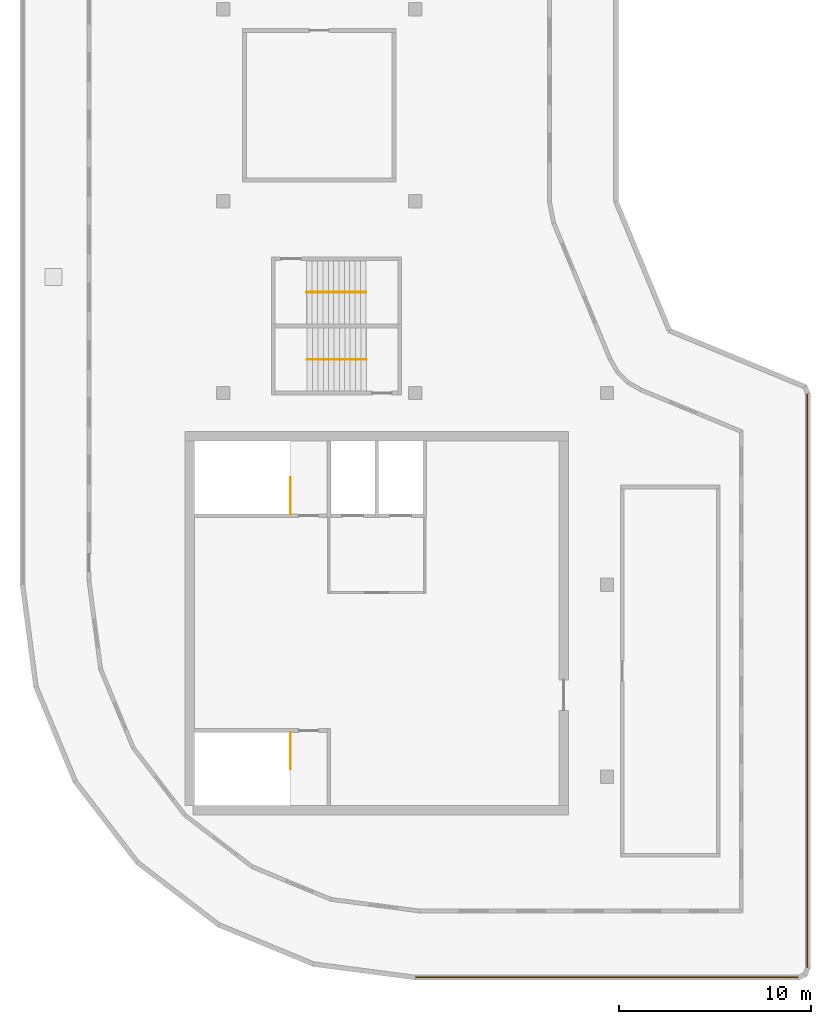
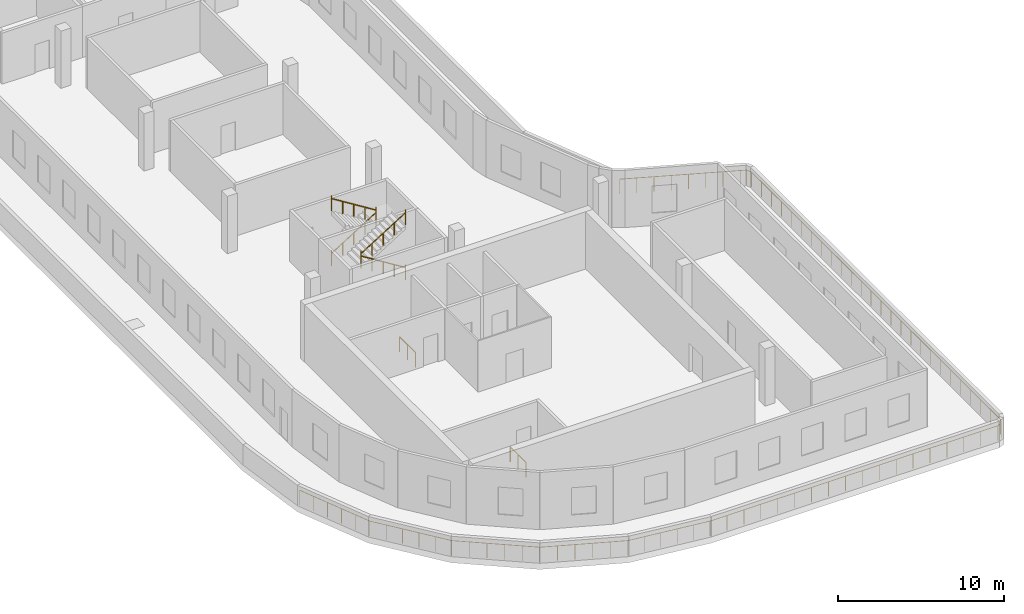
# One storey, part 5 of 6: 7 railings.
"""IFC4 building model written with IfcOpenShell, lengths in metres."""

from ifc_helpers import new_model, si_unit, direction, frame, origin, origin_2d, place, context, subcontext, project, spatial, circle, extrude, material, type_object, element, save


model = new_model("IFC4")

# Units and contexts
model_context = context("Model", 3, precision=1e-05, world=origin(), true_north=direction((0.0, 1.0)))
body_context = subcontext(model_context, "Body", "Model", "MODEL_VIEW")
ifc_project = project(units=[si_unit("LENGTHUNIT", "METRE"), si_unit("AREAUNIT", "SQUARE_METRE"), si_unit("VOLUMEUNIT", "CUBIC_METRE"), si_unit("PLANEANGLEUNIT", "RADIAN"), si_unit("MASSUNIT", "GRAM", prefix="KILO")], contexts=[model_context])

# Site, building, storey
site_placement = place(None, origin())
site = spatial("IfcSite", under=ifc_project, at=site_placement, CompositionType="ELEMENT")
building_placement = place(site_placement, origin())
building = spatial("IfcBuilding", under=site, at=building_placement, Name="Qaws Garden Tower", CompositionType="ELEMENT")
storey_placement = place(building_placement, frame((0.0, 0.0, 365.39990234375)))
storey = spatial("IfcBuildingStorey", under=building, at=storey_placement, Name="C1", CompositionType="ELEMENT", Elevation=365.39990234375)

# Railings
ifc_material_1 = material(Name="Steel S355", Category="steel")
railing_type_1 = type_object("IfcRailingType", Name="Guard steel balustrade 1100", PredefinedType="GUARDRAIL", material=ifc_material_1)
railing_1_placement = place(storey_placement, frame((33.214599609375, 33.2958984375, 0.0)))
element("IfcRailing", 1, at=railing_1_placement, inside=storey, type_object=railing_type_1, Name="Terrace guard", PredefinedType="GUARDRAIL", context=body_context, shape_type="SweptSolid", body=[
    extrude(circle(Radius=0.02392578125, at=origin_2d()), frame((0.0, 0.0, 1.076171875), z_axis=(0.921556042654, -0.388245360883, 0.0), x_axis=(0.388245360883, 0.921556042654, 0.0)), (0.0, 0.0, 1.0), 7.30078125),
    extrude(circle(Radius=0.02392578125, at=origin_2d()), frame((6.72802734375, -2.83447265625, 1.076171875), z_axis=(0.924001852504, -0.382387992187, 0.0), x_axis=(0.382387992187, 0.924001852504, 0.0)), (0.0, 0.0, 1.0), 0.397216796875),
    extrude(circle(Radius=0.02392578125, at=origin_2d()), frame((7.094970703125, -2.986328125, 1.076171875), z_axis=(0.382253928177, -0.924057322028, 0.0), x_axis=(0.924057322028, 0.382253928177, 0.0)), (0.0, 0.0, 1.0), 0.3671875),
    extrude(circle(Radius=0.02392578125, at=origin_2d()), frame((7.2353515625, -3.32568359375, 1.076171875), z_axis=(0.0, -1.0, 0.0), x_axis=(1.0, 0.0, 0.0)), (0.0, 0.0, 1.0), 29.9404296875),
    extrude(circle(Radius=0.02392578125, at=origin_2d()), frame((7.2353515625, -33.26611328125, 1.076171875), z_axis=(-0.382253928177, -0.924057322028, 0.0), x_axis=(0.924057322028, -0.382253928177, 0.0)), (0.0, 0.0, 1.0), 0.3671875),
    extrude(circle(Radius=0.02392578125, at=origin_2d()), frame((7.094970703125, -33.60546875, 1.076171875), z_axis=(-0.924057322028, -0.382253928177, 0.0), x_axis=(0.382253928177, -0.924057322028, 0.0)), (0.0, 0.0, 1.0), 0.3671875),
    extrude(circle(Radius=0.02392578125, at=origin_2d()), frame((6.755615234375, -33.745849609375, 1.076171875), z_axis=(-1.0, 0.0, 0.0), x_axis=(0.0, -1.0, 0.0)), (0.0, 0.0, 1.0), 19.96044921875),
    extrude(circle(Radius=0.02392578125, at=origin_2d()), frame((-13.204833984375, -33.745849609375, 1.076171875), z_axis=(-0.991446213836, 0.13051591884, 0.0), x_axis=(-0.13051591884, -0.991446213836, 0.0)), (0.0, 0.0, 1.0), 5.347900390625),
    extrude(circle(Radius=0.02392578125, at=origin_2d()), frame((-18.507080078125, -33.0478515625, 1.076171875), z_axis=(-0.923871903176, 0.38270185069, 0.0), x_axis=(-0.38270185069, -0.923871903176, 0.0)), (0.0, 0.0, 1.0), 5.33837890625),
    extrude(circle(Radius=0.02392578125, at=origin_2d()), frame((-23.43896484375, -31.0048828125, 1.076171875), z_axis=(-0.793371480341, 0.608737787706, 0.0), x_axis=(-0.608737787706, -0.793371480341, 0.0)), (0.0, 0.0, 1.0), 5.338134765625),
    extrude(circle(Radius=0.02392578125, at=origin_2d()), frame((-27.674072265625, -27.75537109375, 1.076171875), z_axis=(-0.608737787706, 0.793371480341, 0.0), x_axis=(-0.793371480341, -0.608737787706, 0.0)), (0.0, 0.0, 1.0), 5.338134765625),
    extrude(circle(Radius=0.02392578125, at=origin_2d()), frame((-30.923583984375, -23.520263671875, 1.076171875), z_axis=(-0.38270185069, 0.923871903176, 0.0), x_axis=(-0.923871903176, -0.38270185069, 0.0)), (0.0, 0.0, 1.0), 5.33837890625),
    extrude(circle(Radius=0.02099609375, at=origin_2d()), origin(), (0.0, 0.0, 1.0), 1.052001953125),
    extrude(circle(Radius=0.02099609375, at=origin_2d()), frame((0.961181640625, -0.405029296875, 0.0)), (0.0, 0.0, 1.0), 1.052001953125),
    extrude(circle(Radius=0.02099609375, at=origin_2d()), frame((1.92236328125, -0.809814453125, 0.0)), (0.0, 0.0, 1.0), 1.052001953125),
    extrude(circle(Radius=0.02099609375, at=origin_2d()), frame((2.883544921875, -1.21484375, 0.0)), (0.0, 0.0, 1.0), 1.052001953125),
    extrude(circle(Radius=0.02099609375, at=origin_2d()), frame((3.844482421875, -1.61962890625, 0.0)), (0.0, 0.0, 1.0), 1.052001953125),
    extrude(circle(Radius=0.02099609375, at=origin_2d()), frame((4.8056640625, -2.024658203125, 0.0)), (0.0, 0.0, 1.0), 1.052001953125),
    extrude(circle(Radius=0.02099609375, at=origin_2d()), frame((5.766845703125, -2.429443359375, 0.0)), (0.0, 0.0, 1.0), 1.052001953125),
    extrude(circle(Radius=0.02099609375, at=origin_2d()), frame((6.72802734375, -2.83447265625, 0.0)), (0.0, 0.0, 1.0), 1.052001953125),
    extrude(circle(Radius=0.02099609375, at=origin_2d()), frame((7.094970703125, -2.986328125, 0.0)), (0.0, 0.0, 1.0), 1.052001953125),
    extrude(circle(Radius=0.02099609375, at=origin_2d()), frame((7.2353515625, -3.32568359375, 0.0)), (0.0, 0.0, 1.0), 1.052001953125),
    extrude(circle(Radius=0.02099609375, at=origin_2d()), frame((7.2353515625, -4.523193359375, 0.0)), (0.0, 0.0, 1.0), 1.052001953125),
    extrude(circle(Radius=0.02099609375, at=origin_2d()), frame((7.2353515625, -5.720947265625, 0.0)), (0.0, 0.0, 1.0), 1.052001953125),
    extrude(circle(Radius=0.02099609375, at=origin_2d()), frame((7.2353515625, -6.91845703125, 0.0)), (0.0, 0.0, 1.0), 1.052001953125),
    extrude(circle(Radius=0.02099609375, at=origin_2d()), frame((7.2353515625, -8.1162109375, 0.0)), (0.0, 0.0, 1.0), 1.052001953125),
    extrude(circle(Radius=0.02099609375, at=origin_2d()), frame((7.2353515625, -9.313720703125, 0.0)), (0.0, 0.0, 1.0), 1.052001953125),
    extrude(circle(Radius=0.02099609375, at=origin_2d()), frame((7.2353515625, -10.511474609375, 0.0)), (0.0, 0.0, 1.0), 1.052001953125),
    extrude(circle(Radius=0.02099609375, at=origin_2d()), frame((7.2353515625, -11.708984375, 0.0)), (0.0, 0.0, 1.0), 1.052001953125),
    extrude(circle(Radius=0.02099609375, at=origin_2d()), frame((7.2353515625, -12.90673828125, 0.0)), (0.0, 0.0, 1.0), 1.052001953125),
    extrude(circle(Radius=0.02099609375, at=origin_2d()), frame((7.2353515625, -14.104248046875, 0.0)), (0.0, 0.0, 1.0), 1.052001953125),
    extrude(circle(Radius=0.02099609375, at=origin_2d()), frame((7.2353515625, -15.3017578125, 0.0)), (0.0, 0.0, 1.0), 1.052001953125),
    extrude(circle(Radius=0.02099609375, at=origin_2d()), frame((7.2353515625, -16.49951171875, 0.0)), (0.0, 0.0, 1.0), 1.052001953125),
    extrude(circle(Radius=0.02099609375, at=origin_2d()), frame((7.2353515625, -17.697021484375, 0.0)), (0.0, 0.0, 1.0), 1.052001953125),
    extrude(circle(Radius=0.02099609375, at=origin_2d()), frame((7.2353515625, -18.894775390625, 0.0)), (0.0, 0.0, 1.0), 1.052001953125),
    extrude(circle(Radius=0.02099609375, at=origin_2d()), frame((7.2353515625, -20.09228515625, 0.0)), (0.0, 0.0, 1.0), 1.052001953125),
    extrude(circle(Radius=0.02099609375, at=origin_2d()), frame((7.2353515625, -21.2900390625, 0.0)), (0.0, 0.0, 1.0), 1.052001953125),
    extrude(circle(Radius=0.02099609375, at=origin_2d()), frame((7.2353515625, -22.487548828125, 0.0)), (0.0, 0.0, 1.0), 1.052001953125),
    extrude(circle(Radius=0.02099609375, at=origin_2d()), frame((7.2353515625, -23.68505859375, 0.0)), (0.0, 0.0, 1.0), 1.052001953125),
    extrude(circle(Radius=0.02099609375, at=origin_2d()), frame((7.2353515625, -24.8828125, 0.0)), (0.0, 0.0, 1.0), 1.052001953125),
    extrude(circle(Radius=0.02099609375, at=origin_2d()), frame((7.2353515625, -26.080322265625, 0.0)), (0.0, 0.0, 1.0), 1.052001953125),
    extrude(circle(Radius=0.02099609375, at=origin_2d()), frame((7.2353515625, -27.278076171875, 0.0)), (0.0, 0.0, 1.0), 1.052001953125),
    extrude(circle(Radius=0.02099609375, at=origin_2d()), frame((7.2353515625, -28.4755859375, 0.0)), (0.0, 0.0, 1.0), 1.052001953125),
    extrude(circle(Radius=0.02099609375, at=origin_2d()), frame((7.2353515625, -29.67333984375, 0.0)), (0.0, 0.0, 1.0), 1.052001953125),
    extrude(circle(Radius=0.02099609375, at=origin_2d()), frame((7.2353515625, -30.870849609375, 0.0)), (0.0, 0.0, 1.0), 1.052001953125),
    extrude(circle(Radius=0.02099609375, at=origin_2d()), frame((7.2353515625, -32.068603515625, 0.0)), (0.0, 0.0, 1.0), 1.052001953125),
    extrude(circle(Radius=0.02099609375, at=origin_2d()), frame((7.2353515625, -33.26611328125, 0.0)), (0.0, 0.0, 1.0), 1.052001953125),
    extrude(circle(Radius=0.02099609375, at=origin_2d()), frame((7.094970703125, -33.60546875, 0.0)), (0.0, 0.0, 1.0), 1.052001953125),
    extrude(circle(Radius=0.02099609375, at=origin_2d()), frame((6.755615234375, -33.745849609375, 0.0)), (0.0, 0.0, 1.0), 1.052001953125),
    extrude(circle(Radius=0.02099609375, at=origin_2d()), frame((5.58154296875, -33.745849609375, 0.0)), (0.0, 0.0, 1.0), 1.052001953125),
    extrude(circle(Radius=0.02099609375, at=origin_2d()), frame((4.4072265625, -33.745849609375, 0.0)), (0.0, 0.0, 1.0), 1.052001953125),
    extrude(circle(Radius=0.02099609375, at=origin_2d()), frame((3.233154296875, -33.745849609375, 0.0)), (0.0, 0.0, 1.0), 1.052001953125),
    extrude(circle(Radius=0.02099609375, at=origin_2d()), frame((2.05908203125, -33.745849609375, 0.0)), (0.0, 0.0, 1.0), 1.052001953125),
    extrude(circle(Radius=0.02099609375, at=origin_2d()), frame((0.885009765625, -33.745849609375, 0.0)), (0.0, 0.0, 1.0), 1.052001953125),
    extrude(circle(Radius=0.02099609375, at=origin_2d()), frame((-0.289306640625, -33.745849609375, 0.0)), (0.0, 0.0, 1.0), 1.052001953125),
    extrude(circle(Radius=0.02099609375, at=origin_2d()), frame((-1.46337890625, -33.745849609375, 0.0)), (0.0, 0.0, 1.0), 1.052001953125),
    extrude(circle(Radius=0.02099609375, at=origin_2d()), frame((-2.637451171875, -33.745849609375, 0.0)), (0.0, 0.0, 1.0), 1.052001953125),
    extrude(circle(Radius=0.02099609375, at=origin_2d()), frame((-3.811767578125, -33.745849609375, 0.0)), (0.0, 0.0, 1.0), 1.052001953125),
    extrude(circle(Radius=0.02099609375, at=origin_2d()), frame((-4.98583984375, -33.745849609375, 0.0)), (0.0, 0.0, 1.0), 1.052001953125),
    extrude(circle(Radius=0.02099609375, at=origin_2d()), frame((-6.159912109375, -33.745849609375, 0.0)), (0.0, 0.0, 1.0), 1.052001953125),
    extrude(circle(Radius=0.02099609375, at=origin_2d()), frame((-7.334228515625, -33.745849609375, 0.0)), (0.0, 0.0, 1.0), 1.052001953125),
    extrude(circle(Radius=0.02099609375, at=origin_2d()), frame((-8.50830078125, -33.745849609375, 0.0)), (0.0, 0.0, 1.0), 1.052001953125),
    extrude(circle(Radius=0.02099609375, at=origin_2d()), frame((-9.682373046875, -33.745849609375, 0.0)), (0.0, 0.0, 1.0), 1.052001953125),
    extrude(circle(Radius=0.02099609375, at=origin_2d()), frame((-10.8564453125, -33.745849609375, 0.0)), (0.0, 0.0, 1.0), 1.052001953125),
    extrude(circle(Radius=0.02099609375, at=origin_2d()), frame((-12.03076171875, -33.745849609375, 0.0)), (0.0, 0.0, 1.0), 1.052001953125),
    extrude(circle(Radius=0.02099609375, at=origin_2d()), frame((-13.204833984375, -33.745849609375, 0.0)), (0.0, 0.0, 1.0), 1.052001953125),
    extrude(circle(Radius=0.02099609375, at=origin_2d()), frame((-14.265380859375, -33.606201171875, 0.0)), (0.0, 0.0, 1.0), 1.052001953125),
    extrude(circle(Radius=0.02099609375, at=origin_2d()), frame((-15.32568359375, -33.466552734375, 0.0)), (0.0, 0.0, 1.0), 1.052001953125),
    extrude(circle(Radius=0.02099609375, at=origin_2d()), frame((-16.38623046875, -33.3271484375, 0.0)), (0.0, 0.0, 1.0), 1.052001953125),
    extrude(circle(Radius=0.02099609375, at=origin_2d()), frame((-17.446533203125, -33.1875, 0.0)), (0.0, 0.0, 1.0), 1.052001953125),
    extrude(circle(Radius=0.02099609375, at=origin_2d()), frame((-18.507080078125, -33.0478515625, 0.0)), (0.0, 0.0, 1.0), 1.052001953125),
    extrude(circle(Radius=0.02099609375, at=origin_2d()), frame((-19.493408203125, -32.63916015625, 0.0)), (0.0, 0.0, 1.0), 1.052001953125),
    extrude(circle(Radius=0.02099609375, at=origin_2d()), frame((-20.479736328125, -32.230712890625, 0.0)), (0.0, 0.0, 1.0), 1.052001953125),
    extrude(circle(Radius=0.02099609375, at=origin_2d()), frame((-21.46630859375, -31.822021484375, 0.0)), (0.0, 0.0, 1.0), 1.052001953125),
    extrude(circle(Radius=0.02099609375, at=origin_2d()), frame((-22.45263671875, -31.41357421875, 0.0)), (0.0, 0.0, 1.0), 1.052001953125),
    extrude(circle(Radius=0.02099609375, at=origin_2d()), frame((-23.43896484375, -31.0048828125, 0.0)), (0.0, 0.0, 1.0), 1.052001953125),
    extrude(circle(Radius=0.02099609375, at=origin_2d()), frame((-24.285888671875, -30.35498046875, 0.0)), (0.0, 0.0, 1.0), 1.052001953125),
    extrude(circle(Radius=0.02099609375, at=origin_2d()), frame((-25.133056640625, -29.705078125, 0.0)), (0.0, 0.0, 1.0), 1.052001953125),
    extrude(circle(Radius=0.02099609375, at=origin_2d()), frame((-25.97998046875, -29.05517578125, 0.0)), (0.0, 0.0, 1.0), 1.052001953125),
    extrude(circle(Radius=0.02099609375, at=origin_2d()), frame((-26.8271484375, -28.4052734375, 0.0)), (0.0, 0.0, 1.0), 1.052001953125),
    extrude(circle(Radius=0.02099609375, at=origin_2d()), frame((-27.674072265625, -27.75537109375, 0.0)), (0.0, 0.0, 1.0), 1.052001953125),
    extrude(circle(Radius=0.02099609375, at=origin_2d()), frame((-28.323974609375, -26.908447265625, 0.0)), (0.0, 0.0, 1.0), 1.052001953125),
    extrude(circle(Radius=0.02099609375, at=origin_2d()), frame((-28.973876953125, -26.061279296875, 0.0)), (0.0, 0.0, 1.0), 1.052001953125),
    extrude(circle(Radius=0.02099609375, at=origin_2d()), frame((-29.623779296875, -25.21435546875, 0.0)), (0.0, 0.0, 1.0), 1.052001953125),
    extrude(circle(Radius=0.02099609375, at=origin_2d()), frame((-30.273681640625, -24.3671875, 0.0)), (0.0, 0.0, 1.0), 1.052001953125),
    extrude(circle(Radius=0.02099609375, at=origin_2d()), frame((-30.923583984375, -23.520263671875, 0.0)), (0.0, 0.0, 1.0), 1.052001953125),
    extrude(circle(Radius=0.02099609375, at=origin_2d()), frame((-31.332275390625, -22.533935546875, 0.0)), (0.0, 0.0, 1.0), 1.052001953125),
    extrude(circle(Radius=0.02099609375, at=origin_2d()), frame((-31.74072265625, -21.547607421875, 0.0)), (0.0, 0.0, 1.0), 1.052001953125),
    extrude(circle(Radius=0.02099609375, at=origin_2d()), frame((-32.1494140625, -20.56103515625, 0.0)), (0.0, 0.0, 1.0), 1.052001953125),
    extrude(circle(Radius=0.02099609375, at=origin_2d()), frame((-32.557861328125, -19.57470703125, 0.0)), (0.0, 0.0, 1.0), 1.052001953125),
    extrude(circle(Radius=0.02099609375, at=origin_2d()), frame((-32.966552734375, -18.58837890625, 0.0)), (0.0, 0.0, 1.0), 1.052001953125),
])
ifc_material_2 = material(Name="Steel S355", Category="steel")
railing_type_2 = type_object("IfcRailingType", Name="Stair guard 1100", PredefinedType="GUARDRAIL", material=ifc_material_2)
for number, where, name in (
    (2, (13.5, 10.39990234375, 0.0), "Stair 1 guard"),
    (3, (13.5, 23.699951171875, 0.0), "Stair 4 guard"),
):
    element("IfcRailing", number, at=place(storey_placement, frame(where)), inside=storey, type_object=railing_type_2, Name=name, PredefinedType="GUARDRAIL", context=body_context, shape_type="SweptSolid", body=[
        extrude(circle(Radius=0.02392578125, at=origin_2d()), frame((0.0, 0.0, 1.076171875), z_axis=(0.0, 1.0, 0.0), x_axis=(-1.0, 0.0, 0.0)), (0.0, 0.0, 1.0), 1.900146484375),
        extrude(circle(Radius=0.02099609375, at=origin_2d()), origin(), (0.0, 0.0, 1.0), 1.052001953125),
        extrude(circle(Radius=0.02099609375, at=origin_2d()), frame((0.0, 0.9501953125, 0.0)), (0.0, 0.0, 1.0), 1.052001953125),
        extrude(circle(Radius=0.02099609375, at=origin_2d()), frame((0.0, 1.900146484375, 0.0)), (0.0, 0.0, 1.0), 1.052001953125),
    ])
ifc_material_3 = material(Name="Steel S355", Category="steel")
railing_type_3 = type_object("IfcRailingType", Name="Stair handrail 900", PredefinedType="HANDRAIL", material=ifc_material_3)
railing_2_placement = place(storey_placement, frame((17.449951171875, 31.75, 0.175048828125)))
element("IfcRailing", 4, at=railing_2_placement, inside=storey, type_object=railing_type_3, Name="Stair 1 handrail", PredefinedType="HANDRAIL", context=body_context, shape_type="SweptSolid", body=[
    extrude(circle(Radius=0.02392578125, at=origin_2d()), frame((0.0, 0.0, 0.8759765625), z_axis=(-0.847979421464, 0.0, 0.530029150871), x_axis=(0.0, -1.0, 0.0)), (0.0, 0.0, 1.0), 3.632080078125),
    extrude(circle(Radius=0.02099609375, at=origin_2d()), origin(), (0.0, 0.0, 1.0), 1.074951171875),
    extrude(circle(Radius=0.02099609375, at=origin_2d()), frame((-0.77001953125, 0.0, 0.481201171875)), (0.0, 0.0, 1.0), 0.851806640625),
    extrude(circle(Radius=0.02099609375, at=origin_2d()), frame((-1.5400390625, 0.0, 0.96240234375)), (0.0, 0.0, 1.0), 0.851806640625),
    extrude(circle(Radius=0.02099609375, at=origin_2d()), frame((-2.309814453125, 0.0, 1.44384765625)), (0.0, 0.0, 1.0), 0.851806640625),
    extrude(circle(Radius=0.02099609375, at=origin_2d()), frame((-3.079833984375, 0.0, 1.925048828125)), (0.0, 0.0, 1.0), 1.074951171875),
])
for number, where, name in (
    (5, (14.3701171875, 31.75, 2.275146484375), "Stair 1 handrail"),
    (6, (14.35009765625, 35.25, 0.175048828125), "Stair 2 handrail"),
):
    element("IfcRailing", number, at=place(storey_placement, frame(where)), inside=storey, type_object=railing_type_3, Name=name, PredefinedType="HANDRAIL", context=body_context, shape_type="SweptSolid", body=[
        extrude(circle(Radius=0.02392578125, at=origin_2d()), frame((0.0, 0.0, 0.8759765625), z_axis=(0.847979421464, 0.0, 0.530029150871), x_axis=(0.0, 1.0, 0.0)), (0.0, 0.0, 1.0), 3.632080078125),
        extrude(circle(Radius=0.02099609375, at=origin_2d()), origin(), (0.0, 0.0, 1.0), 1.074951171875),
        extrude(circle(Radius=0.02099609375, at=origin_2d()), frame((0.77001953125, 0.0, 0.481201171875)), (0.0, 0.0, 1.0), 0.851806640625),
        extrude(circle(Radius=0.02099609375, at=origin_2d()), frame((1.5400390625, 0.0, 0.96240234375)), (0.0, 0.0, 1.0), 0.851806640625),
        extrude(circle(Radius=0.02099609375, at=origin_2d()), frame((2.309814453125, 0.0, 1.44384765625)), (0.0, 0.0, 1.0), 0.851806640625),
        extrude(circle(Radius=0.02099609375, at=origin_2d()), frame((3.079833984375, 0.0, 1.925048828125)), (0.0, 0.0, 1.0), 1.074951171875),
    ])
railing_3_placement = place(storey_placement, frame((17.429931640625, 35.25, 2.275146484375)))
element("IfcRailing", 7, at=railing_3_placement, inside=storey, type_object=railing_type_3, Name="Stair 2 handrail", PredefinedType="HANDRAIL", context=body_context, shape_type="SweptSolid", body=[
    extrude(circle(Radius=0.02392578125, at=origin_2d()), frame((0.0, 0.0, 0.8759765625), z_axis=(-0.847979421464, 0.0, 0.530029150871), x_axis=(0.0, -1.0, 0.0)), (0.0, 0.0, 1.0), 3.632080078125),
    extrude(circle(Radius=0.02099609375, at=origin_2d()), origin(), (0.0, 0.0, 1.0), 1.074951171875),
    extrude(circle(Radius=0.02099609375, at=origin_2d()), frame((-0.77001953125, 0.0, 0.481201171875)), (0.0, 0.0, 1.0), 0.851806640625),
    extrude(circle(Radius=0.02099609375, at=origin_2d()), frame((-1.5400390625, 0.0, 0.96240234375)), (0.0, 0.0, 1.0), 0.851806640625),
    extrude(circle(Radius=0.02099609375, at=origin_2d()), frame((-2.309814453125, 0.0, 1.44384765625)), (0.0, 0.0, 1.0), 0.851806640625),
    extrude(circle(Radius=0.02099609375, at=origin_2d()), frame((-3.079833984375, 0.0, 1.925048828125)), (0.0, 0.0, 1.0), 1.074951171875),
])

save(model, "model.ifc")
